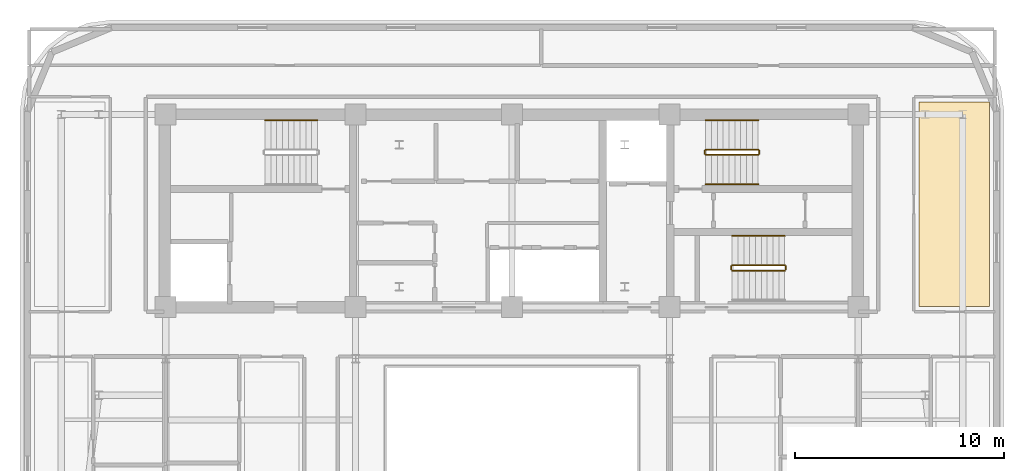
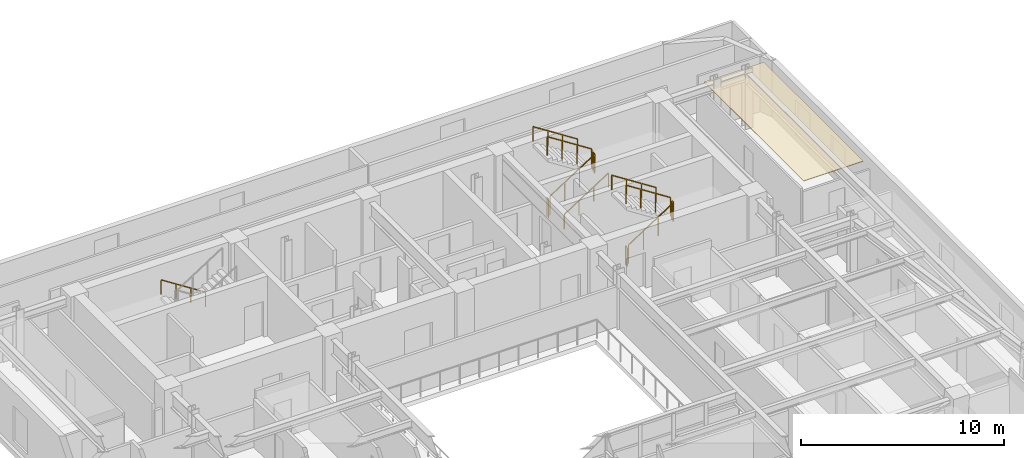
# One storey, part 15 of 15: 12 railings, 1 covering.
"""IFC4 building model written with IfcOpenShell, lengths in metres."""

from ifc_helpers import new_model, si_unit, direction, frame, origin, origin_2d, place, context, subcontext, project, spatial, polyline, rectangle, outline, extrude, material, layer, layer_set, type_object, element, save


model = new_model("IFC4")

# Units and contexts
model_context = context("Model", 3, precision=1e-05, world=origin(), true_north=direction((0.0, 1.0)))
body_context = subcontext(model_context, "Body", "Model", "MODEL_VIEW")
ifc_project = project(units=[si_unit("LENGTHUNIT", "METRE"), si_unit("AREAUNIT", "SQUARE_METRE"), si_unit("VOLUMEUNIT", "CUBIC_METRE"), si_unit("PLANEANGLEUNIT", "RADIAN"), si_unit("MASSUNIT", "GRAM", prefix="KILO")], contexts=[model_context])

# Site, building, storey
site_placement = place(None, origin())
site = spatial("IfcSite", under=ifc_project, at=site_placement, CompositionType="ELEMENT")
building_placement = place(site_placement, origin())
building = spatial("IfcBuilding", under=site, at=building_placement, Name="Zarnavel Station Tower", CompositionType="ELEMENT")
storey_placement = place(building_placement, frame((0.0, 0.0, 200.39990234375)))
storey = spatial("IfcBuildingStorey", under=building, at=storey_placement, Name="L54", CompositionType="ELEMENT", Elevation=200.39990234375)

# Covering
ifc_material_1 = material(Name="Perforated Gypsum and Mineral-Wool Acoustic Ceiling", Category="concrete")
ifc_layer = layer(ifc_material_1, 0.0400390625)
ifc_layer_set = layer_set([ifc_layer], Name="COV_CEIL_ACOUSTIC")
covering_type = type_object("IfcCoveringType", Name="COV_CEIL_ACOUSTIC", PredefinedType="CEILING", material=ifc_layer_set)
covering_placement = place(storey_placement, frame((0.0, 0.0, 3.02001953125)))
element("IfcCovering", 1, at=covering_placement, inside=storey, type_object=covering_type, Name="L54 FNE Acoustic Ceiling", PredefinedType="CEILING", context=body_context, shape_type="SweptSolid", body=[
    extrude(outline(polyline([(48.300048828125, 27.85009765625), (51.68994140625, 27.85009765625), (51.68994140625, 37.64990234375), (48.300048828125, 37.64990234375), (48.300048828125, 27.85009765625)])), origin(), (0.0, 0.0, 1.0), 0.0400390625),
])

# Railings
ifc_material_2 = material(Name="Painted Steel S355J2 Balustrade", Category="steel")
railing_type_1 = type_object("IfcRailingType", Name="GR_INT_1150", PredefinedType="GUARDRAIL", material=ifc_material_2)
railing_1_placement = place(storey_placement, frame((38.080078125, 35.110107421875, 0.18017578125)))
element("IfcRailing", 2, at=railing_1_placement, inside=storey, type_object=railing_type_1, Name="L54 ST2 stair guard 1", PredefinedType="GUARDRAIL", context=body_context, shape_type="SweptSolid", body=[
    extrude(rectangle(XDim=0.048095703125, YDim=0.048095703125, at=origin_2d()), frame((0.001708984375, 0.0, 1.126953125), z_axis=(0.841199657755, 0.0, 0.540724639528), x_axis=(0.0, 1.0, 0.0)), (0.0, 0.0, 1.0), 2.99169921875),
    extrude(rectangle(XDim=0.0419921875, YDim=0.0419921875, at=origin_2d()), origin(), (0.0, 0.0, 1.0), 1.101806640625),
    extrude(rectangle(XDim=0.0419921875, YDim=0.0419921875, at=origin_2d()), frame((0.840087890625, 0.0, 0.5400390625)), (0.0, 0.0, 1.0), 1.101806640625),
    extrude(rectangle(XDim=0.0419921875, YDim=0.0419921875, at=origin_2d()), frame((1.679931640625, 0.0, 1.079833984375)), (0.0, 0.0, 1.0), 1.101806640625),
    extrude(rectangle(XDim=0.0419921875, YDim=0.0419921875, at=origin_2d()), frame((2.52001953125, 0.0, 1.619873046875)), (0.0, 0.0, 1.0), 1.101806640625),
])
railing_2_placement = place(storey_placement, frame((40.64990234375, 35.159912109375, 1.800048828125)))
element("IfcRailing", 3, at=railing_2_placement, inside=storey, type_object=railing_type_1, Name="L54 ST2 stair guard 2", PredefinedType="GUARDRAIL", context=body_context, shape_type="SweptSolid", body=[
    extrude(rectangle(XDim=0.048095703125, YDim=0.048095703125, at=origin_2d()), frame((0.0, 0.001953125, 1.1259765625), z_axis=(0.0, 1.0, 0.0), x_axis=(-1.0, 0.0, 0.0)), (0.0, 0.0, 1.0), 0.15625),
    extrude(rectangle(XDim=0.0419921875, YDim=0.0419921875, at=origin_2d()), origin(), (0.0, 0.0, 1.0), 1.101806640625),
    extrude(rectangle(XDim=0.0419921875, YDim=0.0419921875, at=origin_2d()), frame((0.0, 0.16015625, 0.0)), (0.0, 0.0, 1.0), 1.101806640625),
])
railing_3_placement = place(storey_placement, frame((40.60009765625, 35.3701171875, 1.97998046875)))
element("IfcRailing", 4, at=railing_3_placement, inside=storey, type_object=railing_type_1, Name="L54 ST2 stair guard 3", PredefinedType="GUARDRAIL", context=body_context, shape_type="SweptSolid", body=[
    extrude(rectangle(XDim=0.048095703125, YDim=0.048095703125, at=origin_2d()), frame((-0.001708984375, 0.0, 1.126953125), z_axis=(-0.841162588446, 0.0, 0.540782303519), x_axis=(0.0, -1.0, 0.0)), (0.0, 0.0, 1.0), 2.991943359375),
    extrude(rectangle(XDim=0.0419921875, YDim=0.0419921875, at=origin_2d()), origin(), (0.0, 0.0, 1.0), 1.101806640625),
    extrude(rectangle(XDim=0.0419921875, YDim=0.0419921875, at=origin_2d()), frame((-0.840087890625, 0.0, 0.5400390625)), (0.0, 0.0, 1.0), 1.101806640625),
    extrude(rectangle(XDim=0.0419921875, YDim=0.0419921875, at=origin_2d()), frame((-1.679931640625, 0.0, 1.080078125)), (0.0, 0.0, 1.0), 1.101806640625),
    extrude(rectangle(XDim=0.0419921875, YDim=0.0419921875, at=origin_2d()), frame((-2.52001953125, 0.0, 1.6201171875)), (0.0, 0.0, 1.0), 1.101806640625),
])
railing_4_placement = place(storey_placement, frame((38.030029296875, 35.159912109375, 0.0)))
element("IfcRailing", 5, at=railing_4_placement, inside=storey, type_object=railing_type_1, Name="L54 ST2 stair guard 4", PredefinedType="GUARDRAIL", context=body_context, shape_type="SweptSolid", body=[
    extrude(rectangle(XDim=0.048095703125, YDim=0.048095703125, at=origin_2d()), frame((0.0, 0.001953125, 1.1259765625), z_axis=(0.0, 1.0, 0.0), x_axis=(-1.0, 0.0, 0.0)), (0.0, 0.0, 1.0), 0.15625),
    extrude(rectangle(XDim=0.0419921875, YDim=0.0419921875, at=origin_2d()), origin(), (0.0, 0.0, 1.0), 1.101806640625),
    extrude(rectangle(XDim=0.0419921875, YDim=0.0419921875, at=origin_2d()), frame((0.0, 0.16015625, 0.0)), (0.0, 0.0, 1.0), 1.101806640625),
])
railing_5_placement = place(storey_placement, frame((39.35009765625, 29.570068359375, 0.18017578125)))
element("IfcRailing", 6, at=railing_5_placement, inside=storey, type_object=railing_type_1, Name="L54 ST3 stair guard 1", PredefinedType="GUARDRAIL", context=body_context, shape_type="SweptSolid", body=[
    extrude(rectangle(XDim=0.048095703125, YDim=0.048095703125, at=origin_2d()), frame((0.001708984375, 0.0, 1.126953125), z_axis=(0.841199657755, 0.0, 0.540724639528), x_axis=(0.0, 1.0, 0.0)), (0.0, 0.0, 1.0), 2.99169921875),
    extrude(rectangle(XDim=0.0419921875, YDim=0.0419921875, at=origin_2d()), origin(), (0.0, 0.0, 1.0), 1.101806640625),
    extrude(rectangle(XDim=0.0419921875, YDim=0.0419921875, at=origin_2d()), frame((0.840087890625, 0.0, 0.5400390625)), (0.0, 0.0, 1.0), 1.101806640625),
    extrude(rectangle(XDim=0.0419921875, YDim=0.0419921875, at=origin_2d()), frame((1.679931640625, 0.0, 1.079833984375)), (0.0, 0.0, 1.0), 1.101806640625),
    extrude(rectangle(XDim=0.0419921875, YDim=0.0419921875, at=origin_2d()), frame((2.52001953125, 0.0, 1.619873046875)), (0.0, 0.0, 1.0), 1.101806640625),
])
railing_6_placement = place(storey_placement, frame((41.919921875, 29.6201171875, 1.800048828125)))
element("IfcRailing", 7, at=railing_6_placement, inside=storey, type_object=railing_type_1, Name="L54 ST3 stair guard 2", PredefinedType="GUARDRAIL", context=body_context, shape_type="SweptSolid", body=[
    extrude(rectangle(XDim=0.048095703125, YDim=0.048095703125, at=origin_2d()), frame((0.0, 0.001953125, 1.1259765625), z_axis=(0.0, 1.0, 0.0), x_axis=(-1.0, 0.0, 0.0)), (0.0, 0.0, 1.0), 0.156005859375),
    extrude(rectangle(XDim=0.0419921875, YDim=0.0419921875, at=origin_2d()), origin(), (0.0, 0.0, 1.0), 1.101806640625),
    extrude(rectangle(XDim=0.0419921875, YDim=0.0419921875, at=origin_2d()), frame((0.0, 0.159912109375, 0.0)), (0.0, 0.0, 1.0), 1.101806640625),
])
railing_7_placement = place(storey_placement, frame((41.8701171875, 29.830078125, 1.97998046875)))
element("IfcRailing", 8, at=railing_7_placement, inside=storey, type_object=railing_type_1, Name="L54 ST3 stair guard 3", PredefinedType="GUARDRAIL", context=body_context, shape_type="SweptSolid", body=[
    extrude(rectangle(XDim=0.048095703125, YDim=0.048095703125, at=origin_2d()), frame((-0.001708984375, 0.0, 1.126953125), z_axis=(-0.841162588446, 0.0, 0.540782303519), x_axis=(0.0, -1.0, 0.0)), (0.0, 0.0, 1.0), 2.991943359375),
    extrude(rectangle(XDim=0.0419921875, YDim=0.0419921875, at=origin_2d()), origin(), (0.0, 0.0, 1.0), 1.101806640625),
    extrude(rectangle(XDim=0.0419921875, YDim=0.0419921875, at=origin_2d()), frame((-0.840087890625, 0.0, 0.5400390625)), (0.0, 0.0, 1.0), 1.101806640625),
    extrude(rectangle(XDim=0.0419921875, YDim=0.0419921875, at=origin_2d()), frame((-1.679931640625, 0.0, 1.080078125)), (0.0, 0.0, 1.0), 1.101806640625),
    extrude(rectangle(XDim=0.0419921875, YDim=0.0419921875, at=origin_2d()), frame((-2.52001953125, 0.0, 1.6201171875)), (0.0, 0.0, 1.0), 1.101806640625),
])
railing_8_placement = place(storey_placement, frame((39.300048828125, 29.6201171875, 0.0)))
element("IfcRailing", 9, at=railing_8_placement, inside=storey, type_object=railing_type_1, Name="L54 ST3 stair guard 4", PredefinedType="GUARDRAIL", context=body_context, shape_type="SweptSolid", body=[
    extrude(rectangle(XDim=0.048095703125, YDim=0.048095703125, at=origin_2d()), frame((0.0, 0.001953125, 1.1259765625), z_axis=(0.0, 1.0, 0.0), x_axis=(-1.0, 0.0, 0.0)), (0.0, 0.0, 1.0), 0.156005859375),
    extrude(rectangle(XDim=0.0419921875, YDim=0.0419921875, at=origin_2d()), origin(), (0.0, 0.0, 1.0), 1.101806640625),
    extrude(rectangle(XDim=0.0419921875, YDim=0.0419921875, at=origin_2d()), frame((0.0, 0.159912109375, 0.0)), (0.0, 0.0, 1.0), 1.101806640625),
])
ifc_material_3 = material(Name="Brushed Stainless Steel S355J2 Handrail", Category="steel")
railing_type_2 = type_object("IfcRailingType", Name="HR_STAIR_900", PredefinedType="HANDRAIL", material=ifc_material_3)
railing_9_placement = place(storey_placement, frame((19.47998046875, 36.77001953125, 0.18017578125)))
element("IfcRailing", 10, at=railing_9_placement, inside=storey, type_object=railing_type_2, Name="L54 ST1 stair handrail 1", PredefinedType="HANDRAIL", context=body_context, shape_type="SweptSolid", body=[
    extrude(rectangle(XDim=0.048095703125, YDim=0.048095703125, at=origin_2d()), frame((-0.001708984375, 0.0, 0.876953125), z_axis=(-0.841199657755, 0.0, 0.540724639528), x_axis=(0.0, -1.0, 0.0)), (0.0, 0.0, 1.0), 2.99169921875),
    extrude(rectangle(XDim=0.0419921875, YDim=0.0419921875, at=origin_2d()), origin(), (0.0, 0.0, 1.0), 0.851806640625),
    extrude(rectangle(XDim=0.0419921875, YDim=0.0419921875, at=origin_2d()), frame((-0.840087890625, 0.0, 0.5400390625)), (0.0, 0.0, 1.0), 0.851806640625),
    extrude(rectangle(XDim=0.0419921875, YDim=0.0419921875, at=origin_2d()), frame((-1.679931640625, 0.0, 1.079833984375)), (0.0, 0.0, 1.0), 0.851806640625),
    extrude(rectangle(XDim=0.0419921875, YDim=0.0419921875, at=origin_2d()), frame((-2.52001953125, 0.0, 1.619873046875)), (0.0, 0.0, 1.0), 0.851806640625),
])
railing_10_placement = place(storey_placement, frame((38.080078125, 33.7099609375, 0.18017578125)))
element("IfcRailing", 11, at=railing_10_placement, inside=storey, type_object=railing_type_2, Name="L54 ST2 stair handrail 1", PredefinedType="HANDRAIL", context=body_context, shape_type="SweptSolid", body=[
    extrude(rectangle(XDim=0.048095703125, YDim=0.048095703125, at=origin_2d()), frame((0.001708984375, 0.0, 0.876953125), z_axis=(0.841199657755, 0.0, 0.540724639528), x_axis=(0.0, 1.0, 0.0)), (0.0, 0.0, 1.0), 2.99169921875),
    extrude(rectangle(XDim=0.0419921875, YDim=0.0419921875, at=origin_2d()), origin(), (0.0, 0.0, 1.0), 0.851806640625),
    extrude(rectangle(XDim=0.0419921875, YDim=0.0419921875, at=origin_2d()), frame((0.840087890625, 0.0, 0.5400390625)), (0.0, 0.0, 1.0), 0.851806640625),
    extrude(rectangle(XDim=0.0419921875, YDim=0.0419921875, at=origin_2d()), frame((1.679931640625, 0.0, 1.079833984375)), (0.0, 0.0, 1.0), 0.851806640625),
    extrude(rectangle(XDim=0.0419921875, YDim=0.0419921875, at=origin_2d()), frame((2.52001953125, 0.0, 1.619873046875)), (0.0, 0.0, 1.0), 0.851806640625),
])
for number, where, name in (
    (12, (40.60009765625, 36.77001953125, 1.97998046875), "L54 ST2 stair handrail 2"),
    (13, (41.8701171875, 31.22998046875, 1.97998046875), "L54 ST3 stair handrail 2"),
):
    element("IfcRailing", number, at=place(storey_placement, frame(where)), inside=storey, type_object=railing_type_2, Name=name, PredefinedType="HANDRAIL", context=body_context, shape_type="SweptSolid", body=[
        extrude(rectangle(XDim=0.048095703125, YDim=0.048095703125, at=origin_2d()), frame((-0.001708984375, 0.0, 0.876953125), z_axis=(-0.841162588446, 0.0, 0.540782303519), x_axis=(0.0, -1.0, 0.0)), (0.0, 0.0, 1.0), 2.991943359375),
        extrude(rectangle(XDim=0.0419921875, YDim=0.0419921875, at=origin_2d()), origin(), (0.0, 0.0, 1.0), 0.851806640625),
        extrude(rectangle(XDim=0.0419921875, YDim=0.0419921875, at=origin_2d()), frame((-0.840087890625, 0.0, 0.5400390625)), (0.0, 0.0, 1.0), 0.851806640625),
        extrude(rectangle(XDim=0.0419921875, YDim=0.0419921875, at=origin_2d()), frame((-1.679931640625, 0.0, 1.080078125)), (0.0, 0.0, 1.0), 0.851806640625),
        extrude(rectangle(XDim=0.0419921875, YDim=0.0419921875, at=origin_2d()), frame((-2.52001953125, 0.0, 1.6201171875)), (0.0, 0.0, 1.0), 0.851806640625),
    ])

save(model, "model.ifc")
